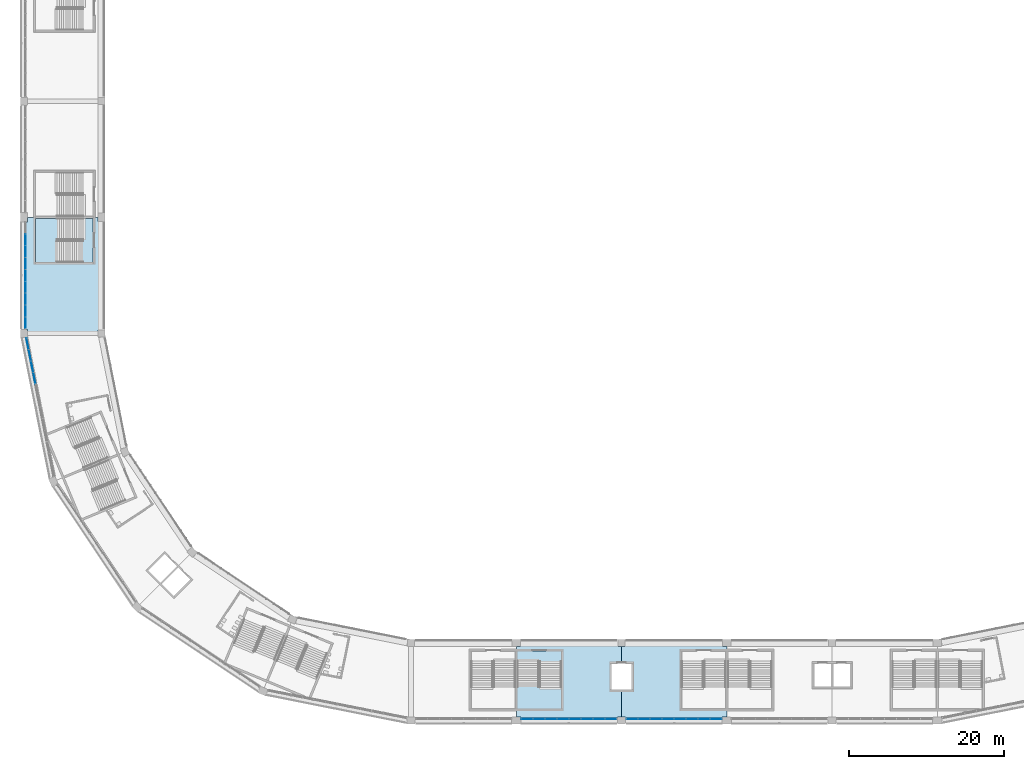
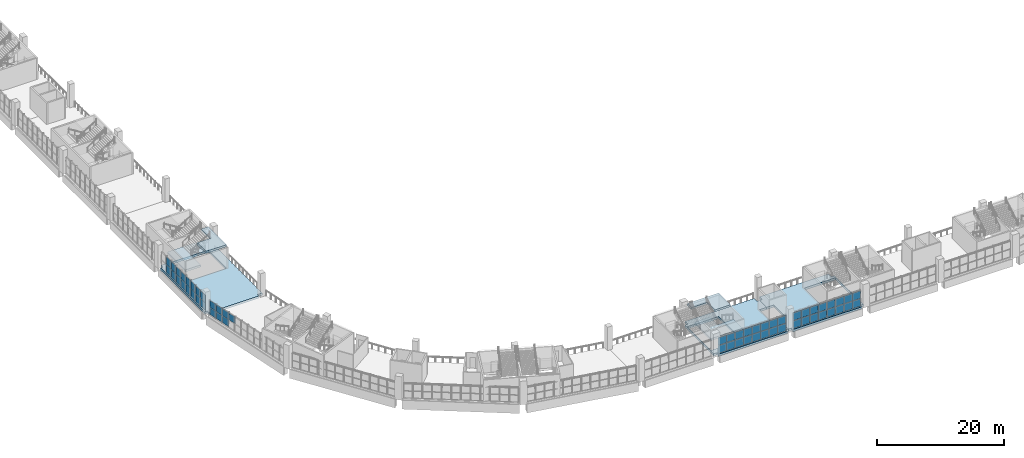
# One storey, part 45 of 177: 55 plates, 7 slabs, 6 elements without a shape of their own.
"""IFC4 building model written with IfcOpenShell, lengths in metres."""

from ifc_helpers import new_model, si_unit, direction, frame, origin, origin_2d, place, context, subcontext, project, spatial, polyline, rectangle, outline, extrude, material, layer, layer_set, type_object, element, aggregate, save


model = new_model("IFC4")

# Units and contexts
model_context = context("Model", 3, precision=1e-05, world=origin(), true_north=direction((0.0, 1.0)))
body_context = subcontext(model_context, "Body", "Model", "MODEL_VIEW")
ifc_project = project(units=[si_unit("LENGTHUNIT", "METRE"), si_unit("AREAUNIT", "SQUARE_METRE"), si_unit("VOLUMEUNIT", "CUBIC_METRE"), si_unit("PLANEANGLEUNIT", "RADIAN"), si_unit("MASSUNIT", "GRAM", prefix="KILO")], contexts=[model_context])

# Site, building, storey
site_placement = place(None, origin())
site = spatial("IfcSite", under=ifc_project, at=site_placement, CompositionType="ELEMENT")
building_placement = place(site_placement, origin())
building = spatial("IfcBuilding", under=site, at=building_placement, Name="Ogive Plaza Stadium", CompositionType="ELEMENT")
storey_placement = place(building_placement, frame((0.0, 0.0, 18.0)))
storey = spatial("IfcBuildingStorey", under=building, at=storey_placement, Name="L04", CompositionType="ELEMENT", Elevation=18.0)

# Curtain wall, plates
ifc_material_1 = material(Name="Bronze-anodised aluminium with laminated glass", Category="aluminium")
curtain_wall_type = type_object("IfcCurtainWallType", Name="Lancet curtain wall", PredefinedType="NOTDEFINED", material=ifc_material_1)
curtain_wall_1_placement = place(storey_placement, origin())
curtain_wall_1 = element("IfcCurtainWall", 1, at=curtain_wall_1_placement, inside=storey, type_object=curtain_wall_type, Name="CURTAIN WALL B14 L04", PredefinedType="NOTDEFINED")
ifc_material_2 = material(Name="Laminated glass", Category="glass")
ifc_layer_1 = layer(ifc_material_2, 0.028076171875)
ifc_layer_set_1 = layer_set([ifc_layer_1], Name="Laminated glass panel 28")
plate_type = type_object("IfcPlateType", Name="Laminated glass panel 28", PredefinedType="CURTAIN_PANEL", material=ifc_layer_set_1)
plate_1_placement = place(storey_placement, frame((5.41259765625, -102.300048828125, 0.0498046875), z_axis=(0.0, 0.0, 1.0), x_axis=(-1.0, 0.0, 0.0)))
plate_1 = element("IfcPlate", 2, at=plate_1_placement, type_object=plate_type, Name="CW-B14-L04 panel 1.1", PredefinedType="CURTAIN_PANEL", context=body_context, shape_type="SweptSolid", body=[
    extrude(rectangle(XDim=1.47509765625, YDim=0.028076171875, at=origin_2d()), origin(), (0.0, 0.0, 1.0), 1.469970703125),
])
plate_2_placement = place(storey_placement, frame((5.41259765625, -102.300048828125, 1.56982421875), z_axis=(0.0, 0.0, 1.0), x_axis=(-1.0, 0.0, 0.0)))
plate_2 = element("IfcPlate", 3, at=plate_2_placement, type_object=plate_type, Name="CW-B14-L04 panel 1.2", PredefinedType="CURTAIN_PANEL", context=body_context, shape_type="SweptSolid", body=[
    extrude(rectangle(XDim=1.47509765625, YDim=0.028076171875, at=origin_2d()), origin(), (0.0, 0.0, 1.0), 1.469970703125),
])
plate_3_placement = place(storey_placement, frame((3.875, -102.300048828125, 0.0498046875), z_axis=(0.0, 0.0, 1.0), x_axis=(-1.0, 0.0, 0.0)))
plate_3 = element("IfcPlate", 4, at=plate_3_placement, type_object=plate_type, Name="CW-B14-L04 panel 2.1", PredefinedType="CURTAIN_PANEL", context=body_context, shape_type="SweptSolid", body=[
    extrude(rectangle(XDim=1.5, YDim=0.028076171875, at=origin_2d()), origin(), (0.0, 0.0, 1.0), 1.469970703125),
])
plate_4_placement = place(storey_placement, frame((3.875, -102.300048828125, 1.56982421875), z_axis=(0.0, 0.0, 1.0), x_axis=(-1.0, 0.0, 0.0)))
plate_4 = element("IfcPlate", 5, at=plate_4_placement, type_object=plate_type, Name="CW-B14-L04 panel 2.2", PredefinedType="CURTAIN_PANEL", context=body_context, shape_type="SweptSolid", body=[
    extrude(rectangle(XDim=1.5, YDim=0.028076171875, at=origin_2d()), origin(), (0.0, 0.0, 1.0), 1.469970703125),
])
plate_5_placement = place(storey_placement, frame((2.324951171875, -102.300048828125, 0.0498046875), z_axis=(0.0, 0.0, 1.0), x_axis=(-1.0, 0.0, 0.0)))
plate_5 = element("IfcPlate", 6, at=plate_5_placement, type_object=plate_type, Name="CW-B14-L04 panel 3.1", PredefinedType="CURTAIN_PANEL", context=body_context, shape_type="SweptSolid", body=[
    extrude(rectangle(XDim=1.5, YDim=0.028076171875, at=origin_2d()), origin(), (0.0, 0.0, 1.0), 1.469970703125),
])
plate_6_placement = place(storey_placement, frame((2.324951171875, -102.300048828125, 1.56982421875), z_axis=(0.0, 0.0, 1.0), x_axis=(-1.0, 0.0, 0.0)))
plate_6 = element("IfcPlate", 7, at=plate_6_placement, type_object=plate_type, Name="CW-B14-L04 panel 3.2", PredefinedType="CURTAIN_PANEL", context=body_context, shape_type="SweptSolid", body=[
    extrude(rectangle(XDim=1.5, YDim=0.028076171875, at=origin_2d()), origin(), (0.0, 0.0, 1.0), 1.469970703125),
])
plate_7_placement = place(storey_placement, frame((0.77490234375, -102.300048828125, 0.0498046875), z_axis=(0.0, 0.0, 1.0), x_axis=(-1.0, 0.0, 0.0)))
plate_7 = element("IfcPlate", 8, at=plate_7_placement, type_object=plate_type, Name="CW-B14-L04 panel 4.1", PredefinedType="CURTAIN_PANEL", context=body_context, shape_type="SweptSolid", body=[
    extrude(rectangle(XDim=1.5, YDim=0.028076171875, at=origin_2d()), origin(), (0.0, 0.0, 1.0), 1.469970703125),
])
plate_8_placement = place(storey_placement, frame((0.77490234375, -102.300048828125, 1.56982421875), z_axis=(0.0, 0.0, 1.0), x_axis=(-1.0, 0.0, 0.0)))
plate_8 = element("IfcPlate", 9, at=plate_8_placement, type_object=plate_type, Name="CW-B14-L04 panel 4.2", PredefinedType="CURTAIN_PANEL", context=body_context, shape_type="SweptSolid", body=[
    extrude(rectangle(XDim=1.5, YDim=0.028076171875, at=origin_2d()), origin(), (0.0, 0.0, 1.0), 1.469970703125),
])
plate_9_placement = place(storey_placement, frame((-0.77490234375, -102.300048828125, 0.0498046875), z_axis=(0.0, 0.0, 1.0), x_axis=(-1.0, 0.0, 0.0)))
plate_9 = element("IfcPlate", 10, at=plate_9_placement, type_object=plate_type, Name="CW-B14-L04 panel 5.1", PredefinedType="CURTAIN_PANEL", context=body_context, shape_type="SweptSolid", body=[
    extrude(rectangle(XDim=1.5, YDim=0.028076171875, at=origin_2d()), origin(), (0.0, 0.0, 1.0), 1.469970703125),
])
plate_10_placement = place(storey_placement, frame((-0.77490234375, -102.300048828125, 1.56982421875), z_axis=(0.0, 0.0, 1.0), x_axis=(-1.0, 0.0, 0.0)))
plate_10 = element("IfcPlate", 11, at=plate_10_placement, type_object=plate_type, Name="CW-B14-L04 panel 5.2", PredefinedType="CURTAIN_PANEL", context=body_context, shape_type="SweptSolid", body=[
    extrude(rectangle(XDim=1.5, YDim=0.028076171875, at=origin_2d()), origin(), (0.0, 0.0, 1.0), 1.469970703125),
])
plate_11_placement = place(storey_placement, frame((-2.324951171875, -102.300048828125, 0.0498046875), z_axis=(0.0, 0.0, 1.0), x_axis=(-1.0, 0.0, 0.0)))
plate_11 = element("IfcPlate", 12, at=plate_11_placement, type_object=plate_type, Name="CW-B14-L04 panel 6.1", PredefinedType="CURTAIN_PANEL", context=body_context, shape_type="SweptSolid", body=[
    extrude(rectangle(XDim=1.5, YDim=0.028076171875, at=origin_2d()), origin(), (0.0, 0.0, 1.0), 1.469970703125),
])
plate_12_placement = place(storey_placement, frame((-2.324951171875, -102.300048828125, 1.56982421875), z_axis=(0.0, 0.0, 1.0), x_axis=(-1.0, 0.0, 0.0)))
plate_12 = element("IfcPlate", 13, at=plate_12_placement, type_object=plate_type, Name="CW-B14-L04 panel 6.2", PredefinedType="CURTAIN_PANEL", context=body_context, shape_type="SweptSolid", body=[
    extrude(rectangle(XDim=1.5, YDim=0.028076171875, at=origin_2d()), origin(), (0.0, 0.0, 1.0), 1.469970703125),
])
plate_13_placement = place(storey_placement, frame((-3.875, -102.300048828125, 0.0498046875), z_axis=(0.0, 0.0, 1.0), x_axis=(-1.0, 0.0, 0.0)))
plate_13 = element("IfcPlate", 14, at=plate_13_placement, type_object=plate_type, Name="CW-B14-L04 panel 7.1", PredefinedType="CURTAIN_PANEL", context=body_context, shape_type="SweptSolid", body=[
    extrude(rectangle(XDim=1.5, YDim=0.028076171875, at=origin_2d()), origin(), (0.0, 0.0, 1.0), 1.469970703125),
])
plate_14_placement = place(storey_placement, frame((-3.875, -102.300048828125, 1.56982421875), z_axis=(0.0, 0.0, 1.0), x_axis=(-1.0, 0.0, 0.0)))
plate_14 = element("IfcPlate", 15, at=plate_14_placement, type_object=plate_type, Name="CW-B14-L04 panel 7.2", PredefinedType="CURTAIN_PANEL", context=body_context, shape_type="SweptSolid", body=[
    extrude(rectangle(XDim=1.5, YDim=0.028076171875, at=origin_2d()), origin(), (0.0, 0.0, 1.0), 1.469970703125),
])
plate_15_placement = place(storey_placement, frame((-5.41259765625, -102.300048828125, 0.0498046875), z_axis=(0.0, 0.0, 1.0), x_axis=(-1.0, 0.0, 0.0)))
plate_15 = element("IfcPlate", 16, at=plate_15_placement, type_object=plate_type, Name="CW-B14-L04 panel 8.1", PredefinedType="CURTAIN_PANEL", context=body_context, shape_type="SweptSolid", body=[
    extrude(rectangle(XDim=1.47509765625, YDim=0.028076171875, at=origin_2d()), origin(), (0.0, 0.0, 1.0), 1.469970703125),
])
plate_16_placement = place(storey_placement, frame((-5.41259765625, -102.300048828125, 1.56982421875), z_axis=(0.0, 0.0, 1.0), x_axis=(-1.0, 0.0, 0.0)))
plate_16 = element("IfcPlate", 17, at=plate_16_placement, type_object=plate_type, Name="CW-B14-L04 panel 8.2", PredefinedType="CURTAIN_PANEL", context=body_context, shape_type="SweptSolid", body=[
    extrude(rectangle(XDim=1.47509765625, YDim=0.028076171875, at=origin_2d()), origin(), (0.0, 0.0, 1.0), 1.469970703125),
])
aggregate(curtain_wall_1, [plate_1, plate_2, plate_3, plate_4, plate_5, plate_6, plate_7, plate_8, plate_9, plate_10, plate_11, plate_12, plate_13, plate_14, plate_15, plate_16])

curtain_wall_2_placement = place(storey_placement, origin())
curtain_wall_2 = element("IfcCurtainWall", 18, at=curtain_wall_2_placement, inside=storey, type_object=curtain_wall_type, Name="CURTAIN WALL B15 L04", PredefinedType="NOTDEFINED")
plate_17_placement = place(storey_placement, frame((-8.1875, -102.300048828125, 0.0498046875), z_axis=(0.0, 0.0, 1.0), x_axis=(-1.0, 0.0, 0.0)))
plate_17 = element("IfcPlate", 19, at=plate_17_placement, type_object=plate_type, Name="CW-B15-L04 panel 1.1", PredefinedType="CURTAIN_PANEL", context=body_context, shape_type="SweptSolid", body=[
    extrude(rectangle(XDim=1.47509765625, YDim=0.028076171875, at=origin_2d()), origin(), (0.0, 0.0, 1.0), 1.469970703125),
])
plate_18_placement = place(storey_placement, frame((-8.1875, -102.300048828125, 1.56982421875), z_axis=(0.0, 0.0, 1.0), x_axis=(-1.0, 0.0, 0.0)))
plate_18 = element("IfcPlate", 20, at=plate_18_placement, type_object=plate_type, Name="CW-B15-L04 panel 1.2", PredefinedType="CURTAIN_PANEL", context=body_context, shape_type="SweptSolid", body=[
    extrude(rectangle(XDim=1.47509765625, YDim=0.028076171875, at=origin_2d()), origin(), (0.0, 0.0, 1.0), 1.469970703125),
])
plate_19_placement = place(storey_placement, frame((-9.72509765625, -102.300048828125, 0.0498046875), z_axis=(0.0, 0.0, 1.0), x_axis=(-1.0, 0.0, 0.0)))
plate_19 = element("IfcPlate", 21, at=plate_19_placement, type_object=plate_type, Name="CW-B15-L04 panel 2.1", PredefinedType="CURTAIN_PANEL", context=body_context, shape_type="SweptSolid", body=[
    extrude(rectangle(XDim=1.5, YDim=0.028076171875, at=origin_2d()), origin(), (0.0, 0.0, 1.0), 1.469970703125),
])
plate_20_placement = place(storey_placement, frame((-9.72509765625, -102.300048828125, 1.56982421875), z_axis=(0.0, 0.0, 1.0), x_axis=(-1.0, 0.0, 0.0)))
plate_20 = element("IfcPlate", 22, at=plate_20_placement, type_object=plate_type, Name="CW-B15-L04 panel 2.2", PredefinedType="CURTAIN_PANEL", context=body_context, shape_type="SweptSolid", body=[
    extrude(rectangle(XDim=1.5, YDim=0.028076171875, at=origin_2d()), origin(), (0.0, 0.0, 1.0), 1.469970703125),
])
plate_21_placement = place(storey_placement, frame((-11.27490234375, -102.300048828125, 0.0498046875), z_axis=(0.0, 0.0, 1.0), x_axis=(-1.0, 0.0, 0.0)))
plate_21 = element("IfcPlate", 23, at=plate_21_placement, type_object=plate_type, Name="CW-B15-L04 panel 3.1", PredefinedType="CURTAIN_PANEL", context=body_context, shape_type="SweptSolid", body=[
    extrude(rectangle(XDim=1.5, YDim=0.028076171875, at=origin_2d()), origin(), (0.0, 0.0, 1.0), 1.469970703125),
])
plate_22_placement = place(storey_placement, frame((-11.27490234375, -102.300048828125, 1.56982421875), z_axis=(0.0, 0.0, 1.0), x_axis=(-1.0, 0.0, 0.0)))
plate_22 = element("IfcPlate", 24, at=plate_22_placement, type_object=plate_type, Name="CW-B15-L04 panel 3.2", PredefinedType="CURTAIN_PANEL", context=body_context, shape_type="SweptSolid", body=[
    extrude(rectangle(XDim=1.5, YDim=0.028076171875, at=origin_2d()), origin(), (0.0, 0.0, 1.0), 1.469970703125),
])
plate_23_placement = place(storey_placement, frame((-12.824951171875, -102.300048828125, 0.0498046875), z_axis=(0.0, 0.0, 1.0), x_axis=(-1.0, 0.0, 0.0)))
plate_23 = element("IfcPlate", 25, at=plate_23_placement, type_object=plate_type, Name="CW-B15-L04 panel 4.1", PredefinedType="CURTAIN_PANEL", context=body_context, shape_type="SweptSolid", body=[
    extrude(rectangle(XDim=1.5, YDim=0.028076171875, at=origin_2d()), origin(), (0.0, 0.0, 1.0), 1.469970703125),
])
plate_24_placement = place(storey_placement, frame((-12.824951171875, -102.300048828125, 1.56982421875), z_axis=(0.0, 0.0, 1.0), x_axis=(-1.0, 0.0, 0.0)))
plate_24 = element("IfcPlate", 26, at=plate_24_placement, type_object=plate_type, Name="CW-B15-L04 panel 4.2", PredefinedType="CURTAIN_PANEL", context=body_context, shape_type="SweptSolid", body=[
    extrude(rectangle(XDim=1.5, YDim=0.028076171875, at=origin_2d()), origin(), (0.0, 0.0, 1.0), 1.469970703125),
])
plate_25_placement = place(storey_placement, frame((-14.375, -102.300048828125, 0.0498046875), z_axis=(0.0, 0.0, 1.0), x_axis=(-1.0, 0.0, 0.0)))
plate_25 = element("IfcPlate", 27, at=plate_25_placement, type_object=plate_type, Name="CW-B15-L04 panel 5.1", PredefinedType="CURTAIN_PANEL", context=body_context, shape_type="SweptSolid", body=[
    extrude(rectangle(XDim=1.5, YDim=0.028076171875, at=origin_2d()), origin(), (0.0, 0.0, 1.0), 1.469970703125),
])
plate_26_placement = place(storey_placement, frame((-14.375, -102.300048828125, 1.56982421875), z_axis=(0.0, 0.0, 1.0), x_axis=(-1.0, 0.0, 0.0)))
plate_26 = element("IfcPlate", 28, at=plate_26_placement, type_object=plate_type, Name="CW-B15-L04 panel 5.2", PredefinedType="CURTAIN_PANEL", context=body_context, shape_type="SweptSolid", body=[
    extrude(rectangle(XDim=1.5, YDim=0.028076171875, at=origin_2d()), origin(), (0.0, 0.0, 1.0), 1.469970703125),
])
plate_27_placement = place(storey_placement, frame((-15.925048828125, -102.300048828125, 0.0498046875), z_axis=(0.0, 0.0, 1.0), x_axis=(-1.0, 0.0, 0.0)))
plate_27 = element("IfcPlate", 29, at=plate_27_placement, type_object=plate_type, Name="CW-B15-L04 panel 6.1", PredefinedType="CURTAIN_PANEL", context=body_context, shape_type="SweptSolid", body=[
    extrude(rectangle(XDim=1.5, YDim=0.028076171875, at=origin_2d()), origin(), (0.0, 0.0, 1.0), 1.469970703125),
])
plate_28_placement = place(storey_placement, frame((-15.925048828125, -102.300048828125, 1.56982421875), z_axis=(0.0, 0.0, 1.0), x_axis=(-1.0, 0.0, 0.0)))
plate_28 = element("IfcPlate", 30, at=plate_28_placement, type_object=plate_type, Name="CW-B15-L04 panel 6.2", PredefinedType="CURTAIN_PANEL", context=body_context, shape_type="SweptSolid", body=[
    extrude(rectangle(XDim=1.5, YDim=0.028076171875, at=origin_2d()), origin(), (0.0, 0.0, 1.0), 1.469970703125),
])
plate_29_placement = place(storey_placement, frame((-17.47509765625, -102.300048828125, 0.0498046875), z_axis=(0.0, 0.0, 1.0), x_axis=(-1.0, 0.0, 0.0)))
plate_29 = element("IfcPlate", 31, at=plate_29_placement, type_object=plate_type, Name="CW-B15-L04 panel 7.1", PredefinedType="CURTAIN_PANEL", context=body_context, shape_type="SweptSolid", body=[
    extrude(rectangle(XDim=1.5, YDim=0.028076171875, at=origin_2d()), origin(), (0.0, 0.0, 1.0), 1.469970703125),
])
plate_30_placement = place(storey_placement, frame((-17.47509765625, -102.300048828125, 1.56982421875), z_axis=(0.0, 0.0, 1.0), x_axis=(-1.0, 0.0, 0.0)))
plate_30 = element("IfcPlate", 32, at=plate_30_placement, type_object=plate_type, Name="CW-B15-L04 panel 7.2", PredefinedType="CURTAIN_PANEL", context=body_context, shape_type="SweptSolid", body=[
    extrude(rectangle(XDim=1.5, YDim=0.028076171875, at=origin_2d()), origin(), (0.0, 0.0, 1.0), 1.469970703125),
])
plate_31_placement = place(storey_placement, frame((-19.012451171875, -102.300048828125, 0.0498046875), z_axis=(0.0, 0.0, 1.0), x_axis=(-1.0, 0.0, 0.0)))
plate_31 = element("IfcPlate", 33, at=plate_31_placement, type_object=plate_type, Name="CW-B15-L04 panel 8.1", PredefinedType="CURTAIN_PANEL", context=body_context, shape_type="SweptSolid", body=[
    extrude(rectangle(XDim=1.47509765625, YDim=0.028076171875, at=origin_2d()), origin(), (0.0, 0.0, 1.0), 1.469970703125),
])
plate_32_placement = place(storey_placement, frame((-19.012451171875, -102.300048828125, 1.56982421875), z_axis=(0.0, 0.0, 1.0), x_axis=(-1.0, 0.0, 0.0)))
plate_32 = element("IfcPlate", 34, at=plate_32_placement, type_object=plate_type, Name="CW-B15-L04 panel 8.2", PredefinedType="CURTAIN_PANEL", context=body_context, shape_type="SweptSolid", body=[
    extrude(rectangle(XDim=1.47509765625, YDim=0.028076171875, at=origin_2d()), origin(), (0.0, 0.0, 1.0), 1.469970703125),
])
aggregate(curtain_wall_2, [plate_17, plate_18, plate_19, plate_20, plate_21, plate_22, plate_23, plate_24, plate_25, plate_26, plate_27, plate_28, plate_29, plate_30, plate_31, plate_32])

curtain_wall_3_placement = place(storey_placement, origin())
curtain_wall_3 = element("IfcCurtainWall", 35, at=curtain_wall_3_placement, inside=storey, type_object=curtain_wall_type, Name="CURTAIN WALL B20 L04", PredefinedType="NOTDEFINED")
plate_33_placement = place(storey_placement, frame((-82.643310546875, -58.29541015625, 1.419921875), z_axis=(0.0, 0.0, 1.0), x_axis=(-0.195090322033, 0.9807852804, 0.0)))
plate_33 = element("IfcPlate", 36, at=plate_33_placement, type_object=plate_type, Name="CW-B20-L04 panel 9.2", PredefinedType="CURTAIN_PANEL", context=body_context, shape_type="SweptSolid", body=[
    extrude(rectangle(XDim=1.472412109375, YDim=0.028076171875, at=origin_2d()), origin(), (0.0, 0.0, 1.0), 1.320068359375),
])
plate_34_placement = place(storey_placement, frame((-82.9404296875, -56.80224609375, 0.0498046875), z_axis=(0.0, 0.0, 1.0), x_axis=(-0.195090322033, 0.9807852804, 0.0)))
plate_34 = element("IfcPlate", 37, at=plate_34_placement, type_object=plate_type, Name="CW-B20-L04 panel 10.1", PredefinedType="CURTAIN_PANEL", context=body_context, shape_type="SweptSolid", body=[
    extrude(rectangle(XDim=1.472412109375, YDim=0.028076171875, at=origin_2d()), origin(), (0.0, 0.0, 1.0), 1.320068359375),
])
plate_35_placement = place(storey_placement, frame((-82.9404296875, -56.80224609375, 1.419921875), z_axis=(0.0, 0.0, 1.0), x_axis=(-0.195090322033, 0.9807852804, 0.0)))
plate_35 = element("IfcPlate", 38, at=plate_35_placement, type_object=plate_type, Name="CW-B20-L04 panel 10.2", PredefinedType="CURTAIN_PANEL", context=body_context, shape_type="SweptSolid", body=[
    extrude(rectangle(XDim=1.472412109375, YDim=0.028076171875, at=origin_2d()), origin(), (0.0, 0.0, 1.0), 1.320068359375),
])
plate_36_placement = place(storey_placement, frame((-83.2373046875, -55.30908203125, 0.0498046875), z_axis=(0.0, 0.0, 1.0), x_axis=(-0.195090322033, 0.9807852804, 0.0)))
plate_36 = element("IfcPlate", 39, at=plate_36_placement, type_object=plate_type, Name="CW-B20-L04 panel 11.1", PredefinedType="CURTAIN_PANEL", context=body_context, shape_type="SweptSolid", body=[
    extrude(rectangle(XDim=1.472412109375, YDim=0.028076171875, at=origin_2d()), origin(), (0.0, 0.0, 1.0), 1.320068359375),
])
plate_37_placement = place(storey_placement, frame((-83.2373046875, -55.30908203125, 1.419921875), z_axis=(0.0, 0.0, 1.0), x_axis=(-0.195090322033, 0.9807852804, 0.0)))
plate_37 = element("IfcPlate", 40, at=plate_37_placement, type_object=plate_type, Name="CW-B20-L04 panel 11.2", PredefinedType="CURTAIN_PANEL", context=body_context, shape_type="SweptSolid", body=[
    extrude(rectangle(XDim=1.472412109375, YDim=0.028076171875, at=origin_2d()), origin(), (0.0, 0.0, 1.0), 1.320068359375),
])
plate_38_placement = place(storey_placement, frame((-83.531982421875, -53.828369140625, 0.0498046875), z_axis=(0.0, 0.0, 1.0), x_axis=(-0.195090322033, 0.9807852804, 0.0)))
plate_38 = element("IfcPlate", 41, at=plate_38_placement, type_object=plate_type, Name="CW-B20-L04 panel 12.1", PredefinedType="CURTAIN_PANEL", context=body_context, shape_type="SweptSolid", body=[
    extrude(rectangle(XDim=1.447265625, YDim=0.028076171875, at=origin_2d()), origin(), (0.0, 0.0, 1.0), 1.320068359375),
])
plate_39_placement = place(storey_placement, frame((-83.531982421875, -53.828369140625, 1.419921875), z_axis=(0.0, 0.0, 1.0), x_axis=(-0.195090322033, 0.9807852804, 0.0)))
plate_39 = element("IfcPlate", 42, at=plate_39_placement, type_object=plate_type, Name="CW-B20-L04 panel 12.2", PredefinedType="CURTAIN_PANEL", context=body_context, shape_type="SweptSolid", body=[
    extrude(rectangle(XDim=1.447265625, YDim=0.028076171875, at=origin_2d()), origin(), (0.0, 0.0, 1.0), 1.320068359375),
])
aggregate(curtain_wall_3, [plate_33, plate_34, plate_35, plate_36, plate_37, plate_38, plate_39])

curtain_wall_4_placement = place(storey_placement, origin())
curtain_wall_4 = element("IfcCurtainWall", 43, at=curtain_wall_4_placement, inside=storey, type_object=curtain_wall_type, Name="CURTAIN WALL B21 L04", PredefinedType="NOTDEFINED")
plate_40_placement = place(storey_placement, frame((-83.800048828125, -51.120849609375, 0.0498046875), z_axis=(0.0, 0.0, 1.0), x_axis=(0.0, 1.0, 0.0)))
plate_40 = element("IfcPlate", 44, at=plate_40_placement, type_object=plate_type, Name="CW-B21-L04 panel 1.1", PredefinedType="CURTAIN_PANEL", context=body_context, shape_type="SweptSolid", body=[
    extrude(rectangle(XDim=1.458251953125, YDim=0.028076171875, at=origin_2d()), origin(), (0.0, 0.0, 1.0), 1.469970703125),
])
plate_41_placement = place(storey_placement, frame((-83.800048828125, -51.120849609375, 1.56982421875), z_axis=(0.0, 0.0, 1.0), x_axis=(0.0, 1.0, 0.0)))
plate_41 = element("IfcPlate", 45, at=plate_41_placement, type_object=plate_type, Name="CW-B21-L04 panel 1.2", PredefinedType="CURTAIN_PANEL", context=body_context, shape_type="SweptSolid", body=[
    extrude(rectangle(XDim=1.458251953125, YDim=0.028076171875, at=origin_2d()), origin(), (0.0, 0.0, 1.0), 1.469970703125),
])
plate_42_placement = place(storey_placement, frame((-83.800048828125, -49.60009765625, 0.0498046875), z_axis=(0.0, 0.0, 1.0), x_axis=(0.0, 1.0, 0.0)))
plate_42 = element("IfcPlate", 46, at=plate_42_placement, type_object=plate_type, Name="CW-B21-L04 panel 2.1", PredefinedType="CURTAIN_PANEL", context=body_context, shape_type="SweptSolid", body=[
    extrude(rectangle(XDim=1.4833984375, YDim=0.028076171875, at=origin_2d()), origin(), (0.0, 0.0, 1.0), 1.469970703125),
])
plate_43_placement = place(storey_placement, frame((-83.800048828125, -49.60009765625, 1.56982421875), z_axis=(0.0, 0.0, 1.0), x_axis=(0.0, 1.0, 0.0)))
plate_43 = element("IfcPlate", 47, at=plate_43_placement, type_object=plate_type, Name="CW-B21-L04 panel 2.2", PredefinedType="CURTAIN_PANEL", context=body_context, shape_type="SweptSolid", body=[
    extrude(rectangle(XDim=1.4833984375, YDim=0.028076171875, at=origin_2d()), origin(), (0.0, 0.0, 1.0), 1.469970703125),
])
plate_44_placement = place(storey_placement, frame((-83.800048828125, -48.066650390625, 0.0498046875), z_axis=(0.0, 0.0, 1.0), x_axis=(0.0, 1.0, 0.0)))
plate_44 = element("IfcPlate", 48, at=plate_44_placement, type_object=plate_type, Name="CW-B21-L04 panel 3.1", PredefinedType="CURTAIN_PANEL", context=body_context, shape_type="SweptSolid", body=[
    extrude(rectangle(XDim=1.4833984375, YDim=0.028076171875, at=origin_2d()), origin(), (0.0, 0.0, 1.0), 1.469970703125),
])
plate_45_placement = place(storey_placement, frame((-83.800048828125, -48.066650390625, 1.56982421875), z_axis=(0.0, 0.0, 1.0), x_axis=(0.0, 1.0, 0.0)))
plate_45 = element("IfcPlate", 49, at=plate_45_placement, type_object=plate_type, Name="CW-B21-L04 panel 3.2", PredefinedType="CURTAIN_PANEL", context=body_context, shape_type="SweptSolid", body=[
    extrude(rectangle(XDim=1.4833984375, YDim=0.028076171875, at=origin_2d()), origin(), (0.0, 0.0, 1.0), 1.469970703125),
])
plate_46_placement = place(storey_placement, frame((-83.800048828125, -46.533447265625, 0.0498046875), z_axis=(0.0, 0.0, 1.0), x_axis=(0.0, 1.0, 0.0)))
plate_46 = element("IfcPlate", 50, at=plate_46_placement, type_object=plate_type, Name="CW-B21-L04 panel 4.1", PredefinedType="CURTAIN_PANEL", context=body_context, shape_type="SweptSolid", body=[
    extrude(rectangle(XDim=1.4833984375, YDim=0.028076171875, at=origin_2d()), origin(), (0.0, 0.0, 1.0), 1.469970703125),
])
plate_47_placement = place(storey_placement, frame((-83.800048828125, -46.533447265625, 1.56982421875), z_axis=(0.0, 0.0, 1.0), x_axis=(0.0, 1.0, 0.0)))
plate_47 = element("IfcPlate", 51, at=plate_47_placement, type_object=plate_type, Name="CW-B21-L04 panel 4.2", PredefinedType="CURTAIN_PANEL", context=body_context, shape_type="SweptSolid", body=[
    extrude(rectangle(XDim=1.4833984375, YDim=0.028076171875, at=origin_2d()), origin(), (0.0, 0.0, 1.0), 1.469970703125),
])
plate_48_placement = place(storey_placement, frame((-83.800048828125, -45.0, 0.0498046875), z_axis=(0.0, 0.0, 1.0), x_axis=(0.0, 1.0, 0.0)))
plate_48 = element("IfcPlate", 52, at=plate_48_placement, type_object=plate_type, Name="CW-B21-L04 panel 5.1", PredefinedType="CURTAIN_PANEL", context=body_context, shape_type="SweptSolid", body=[
    extrude(rectangle(XDim=1.4833984375, YDim=0.028076171875, at=origin_2d()), origin(), (0.0, 0.0, 1.0), 1.469970703125),
])
plate_49_placement = place(storey_placement, frame((-83.800048828125, -45.0, 1.56982421875), z_axis=(0.0, 0.0, 1.0), x_axis=(0.0, 1.0, 0.0)))
plate_49 = element("IfcPlate", 53, at=plate_49_placement, type_object=plate_type, Name="CW-B21-L04 panel 5.2", PredefinedType="CURTAIN_PANEL", context=body_context, shape_type="SweptSolid", body=[
    extrude(rectangle(XDim=1.4833984375, YDim=0.028076171875, at=origin_2d()), origin(), (0.0, 0.0, 1.0), 1.469970703125),
])
plate_50_placement = place(storey_placement, frame((-83.800048828125, -43.466552734375, 0.0498046875), z_axis=(0.0, 0.0, 1.0), x_axis=(0.0, 1.0, 0.0)))
plate_50 = element("IfcPlate", 54, at=plate_50_placement, type_object=plate_type, Name="CW-B21-L04 panel 6.1", PredefinedType="CURTAIN_PANEL", context=body_context, shape_type="SweptSolid", body=[
    extrude(rectangle(XDim=1.4833984375, YDim=0.028076171875, at=origin_2d()), origin(), (0.0, 0.0, 1.0), 1.469970703125),
])
plate_51_placement = place(storey_placement, frame((-83.800048828125, -43.466552734375, 1.56982421875), z_axis=(0.0, 0.0, 1.0), x_axis=(0.0, 1.0, 0.0)))
plate_51 = element("IfcPlate", 55, at=plate_51_placement, type_object=plate_type, Name="CW-B21-L04 panel 6.2", PredefinedType="CURTAIN_PANEL", context=body_context, shape_type="SweptSolid", body=[
    extrude(rectangle(XDim=1.4833984375, YDim=0.028076171875, at=origin_2d()), origin(), (0.0, 0.0, 1.0), 1.469970703125),
])
plate_52_placement = place(storey_placement, frame((-83.800048828125, -41.933349609375, 0.0498046875), z_axis=(0.0, 0.0, 1.0), x_axis=(0.0, 1.0, 0.0)))
plate_52 = element("IfcPlate", 56, at=plate_52_placement, type_object=plate_type, Name="CW-B21-L04 panel 7.1", PredefinedType="CURTAIN_PANEL", context=body_context, shape_type="SweptSolid", body=[
    extrude(rectangle(XDim=1.4833984375, YDim=0.028076171875, at=origin_2d()), origin(), (0.0, 0.0, 1.0), 1.469970703125),
])
plate_53_placement = place(storey_placement, frame((-83.800048828125, -41.933349609375, 1.56982421875), z_axis=(0.0, 0.0, 1.0), x_axis=(0.0, 1.0, 0.0)))
plate_53 = element("IfcPlate", 57, at=plate_53_placement, type_object=plate_type, Name="CW-B21-L04 panel 7.2", PredefinedType="CURTAIN_PANEL", context=body_context, shape_type="SweptSolid", body=[
    extrude(rectangle(XDim=1.4833984375, YDim=0.028076171875, at=origin_2d()), origin(), (0.0, 0.0, 1.0), 1.469970703125),
])
plate_54_placement = place(storey_placement, frame((-83.800048828125, -40.39990234375, 0.0498046875), z_axis=(0.0, 0.0, 1.0), x_axis=(0.0, 1.0, 0.0)))
plate_54 = element("IfcPlate", 58, at=plate_54_placement, type_object=plate_type, Name="CW-B21-L04 panel 8.1", PredefinedType="CURTAIN_PANEL", context=body_context, shape_type="SweptSolid", body=[
    extrude(rectangle(XDim=1.4833984375, YDim=0.028076171875, at=origin_2d()), origin(), (0.0, 0.0, 1.0), 1.469970703125),
])
plate_55_placement = place(storey_placement, frame((-83.800048828125, -40.39990234375, 1.56982421875), z_axis=(0.0, 0.0, 1.0), x_axis=(0.0, 1.0, 0.0)))
plate_55 = element("IfcPlate", 59, at=plate_55_placement, type_object=plate_type, Name="CW-B21-L04 panel 8.2", PredefinedType="CURTAIN_PANEL", context=body_context, shape_type="SweptSolid", body=[
    extrude(rectangle(XDim=1.4833984375, YDim=0.028076171875, at=origin_2d()), origin(), (0.0, 0.0, 1.0), 1.469970703125),
])
aggregate(curtain_wall_4, [plate_40, plate_41, plate_42, plate_43, plate_44, plate_45, plate_46, plate_47, plate_48, plate_49, plate_50, plate_51, plate_52, plate_53, plate_54, plate_55])

# Slabs
ifc_material_3 = material(Name="Concrete C40/50", Category="concrete")
ifc_layer_2 = layer(ifc_material_3, 0.409912109375)
ifc_layer_set_2 = layer_set([ifc_layer_2], Name="Concrete C40/50")
slab_type_1 = type_object("IfcSlabType", Name="RC floor slab 410", PredefinedType="FLOOR", material=ifc_layer_set_2)
slab_1_placement = place(storey_placement, frame((0.0, 0.0, -0.409912109375)))
element("IfcSlab", 60, at=slab_1_placement, inside=storey, type_object=slab_type_1, Name="Floor slab L04 B14", PredefinedType="FLOOR", context=body_context, shape_type="SweptSolid", body=[
    extrude(outline(polyline([(-6.800048828125, -95.14990234375), (-5.5, -95.14990234375), (-5.5, -98.550048828125), (-6.800048828125, -98.550048828125), (-6.800048828125, -102.050048828125), (-6.300048828125, -102.050048828125), (-6.300048828125, -102.5), (6.199951171875, -102.5), (6.199951171875, -102.050048828125), (6.800048828125, -102.050048828125), (6.800048828125, -92.949951171875), (6.25, -92.949951171875), (6.25, -92.050048828125), (-6.35009765625, -92.050048828125), (-6.35009765625, -92.949951171875), (-6.800048828125, -92.949951171875), (-6.800048828125, -95.14990234375)]), holes=[polyline([(6.675048828125, -93.550048828125), (0.97509765625, -93.550048828125), (0.97509765625, -101.010009765625), (6.675048828125, -101.010009765625), (6.675048828125, -93.550048828125)])]), origin(), (0.0, 0.0, 1.0), 0.409912109375),
])
slab_2_placement = place(storey_placement, frame((0.0, 0.0, -0.409912109375)))
element("IfcSlab", 61, at=slab_2_placement, inside=storey, type_object=slab_type_1, Name="Floor slab L04 B15", PredefinedType="FLOOR", context=body_context, shape_type="SweptSolid", body=[
    extrude(outline(polyline([(-20.39990234375, -102.050048828125), (-19.800048828125, -102.050048828125), (-19.800048828125, -102.5), (-7.300048828125, -102.5), (-7.300048828125, -102.050048828125), (-6.800048828125, -102.050048828125), (-6.800048828125, -98.550048828125), (-8.10009765625, -98.550048828125), (-8.10009765625, -95.14990234375), (-6.800048828125, -95.14990234375), (-6.800048828125, -92.949951171875), (-7.25, -92.949951171875), (-7.25, -92.050048828125), (-19.85009765625, -92.050048828125), (-19.85009765625, -92.949951171875), (-20.39990234375, -92.949951171875), (-20.39990234375, -102.050048828125)]), holes=[polyline([(-14.574951171875, -93.550048828125), (-20.27490234375, -93.550048828125), (-20.27490234375, -101.010009765625), (-14.574951171875, -101.010009765625), (-14.574951171875, -93.550048828125)])]), origin(), (0.0, 0.0, 1.0), 0.409912109375),
])
slab_3_placement = place(storey_placement, frame((0.0, 0.0, -0.409912109375)))
element("IfcSlab", 62, at=slab_3_placement, inside=storey, type_object=slab_type_1, Name="Floor slab L04 B21", PredefinedType="FLOOR", context=body_context, shape_type="SweptSolid", body=[
    extrude(outline(polyline([(-83.550048828125, -37.5), (-83.550048828125, -38.10009765625), (-84.0, -38.10009765625), (-84.0, -52.0), (-83.550048828125, -52.0), (-83.550048828125, -52.5), (-74.449951171875, -52.5), (-74.449951171875, -52.050048828125), (-73.550048828125, -52.050048828125), (-73.550048828125, -38.050048828125), (-74.449951171875, -38.050048828125), (-74.449951171875, -37.5), (-83.550048828125, -37.5)]), holes=[polyline([(-75.050048828125, -43.324951171875), (-75.050048828125, -37.625), (-82.510009765625, -37.625), (-82.510009765625, -43.324951171875), (-75.050048828125, -43.324951171875)])]), origin(), (0.0, 0.0, 1.0), 0.409912109375),
])

# Stair, slabs
ifc_material_4 = material(Name="Concrete C40/50", Category="concrete")
stair_type = type_object("IfcStairType", Name="Exit stair", PredefinedType="STRAIGHT_RUN_STAIR", material=ifc_material_4)
stair_1_placement = place(storey_placement, origin())
stair_1 = element("IfcStair", 63, at=stair_1_placement, inside=storey, type_object=stair_type, Name="Exit stair ST16B L04 to L05", PredefinedType="STRAIGHT_RUN_STAIR")
ifc_material_5 = material(Name="Concrete C40/50", Category="concrete")
ifc_layer_3 = layer(ifc_material_5, 0.39990234375)
ifc_layer_set_3 = layer_set([ifc_layer_3], Name="Concrete C40/50")
slab_type_2 = type_object("IfcSlabType", Name="Stair landing", PredefinedType="LANDING", material=ifc_layer_set_3)
slab_4_placement = place(storey_placement, frame((0.0, 0.0, 1.85009765625)))
slab_4 = element("IfcSlab", 64, at=slab_4_placement, type_object=slab_type_2, Name="ST16B landing 1", PredefinedType="LANDING", context=body_context, shape_type="SweptSolid", body=[
    extrude(outline(polyline([(-20.27490234375, -95.81005859375), (-17.47509765625, -95.81005859375), (-17.47509765625, -98.2099609375), (-14.574951171875, -98.2099609375), (-14.574951171875, -101.010009765625), (-20.27490234375, -101.010009765625), (-20.27490234375, -98.2099609375), (-20.27490234375, -95.81005859375)])), origin(), (0.0, 0.0, 1.0), 0.39990234375),
])
slab_5_placement = place(storey_placement, frame((0.0, 0.0, 4.10009765625)))
slab_5 = element("IfcSlab", 65, at=slab_5_placement, type_object=slab_type_2, Name="ST16B landing 2", PredefinedType="LANDING", context=body_context, shape_type="SweptSolid", body=[
    extrude(outline(polyline([(-20.27490234375, -94.85009765625), (-20.27490234375, -93.550048828125), (-14.574951171875, -93.550048828125), (-14.574951171875, -94.85009765625), (-14.574951171875, -97.25), (-17.375, -97.25), (-17.375, -94.85009765625), (-20.27490234375, -94.85009765625)])), origin(), (0.0, 0.0, 1.0), 0.39990234375),
])
aggregate(stair_1, [slab_4, slab_5])

stair_2_placement = place(storey_placement, origin())
stair_2 = element("IfcStair", 66, at=stair_2_placement, inside=storey, type_object=stair_type, Name="Exit stair ST22B L04 to L05", PredefinedType="STRAIGHT_RUN_STAIR")
slab_6_placement = place(storey_placement, frame((0.0, 0.0, 1.85009765625)))
slab_6 = element("IfcSlab", 67, at=slab_6_placement, type_object=slab_type_2, Name="ST22B landing 1", PredefinedType="LANDING", context=body_context, shape_type="SweptSolid", body=[
    extrude(outline(polyline([(-77.31005859375, -37.625), (-77.31005859375, -40.425048828125), (-79.7099609375, -40.425048828125), (-79.7099609375, -43.324951171875), (-82.510009765625, -43.324951171875), (-82.510009765625, -37.625), (-79.7099609375, -37.625), (-77.31005859375, -37.625)])), origin(), (0.0, 0.0, 1.0), 0.39990234375),
])
slab_7_placement = place(storey_placement, frame((0.0, 0.0, 4.10009765625)))
slab_7 = element("IfcSlab", 68, at=slab_7_placement, type_object=slab_type_2, Name="ST22B landing 2", PredefinedType="LANDING", context=body_context, shape_type="SweptSolid", body=[
    extrude(outline(polyline([(-76.35009765625, -37.625), (-75.050048828125, -37.625), (-75.050048828125, -43.324951171875), (-76.35009765625, -43.324951171875), (-78.75, -43.324951171875), (-78.75, -40.52490234375), (-76.35009765625, -40.52490234375), (-76.35009765625, -37.625)])), origin(), (0.0, 0.0, 1.0), 0.39990234375),
])
aggregate(stair_2, [slab_6, slab_7])

save(model, "model.ifc")
